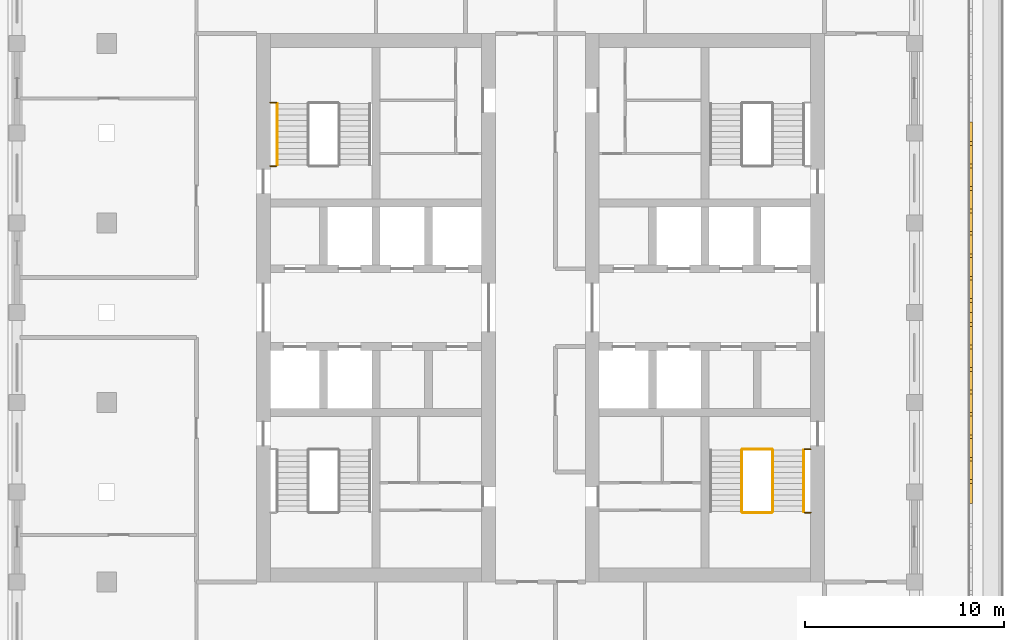
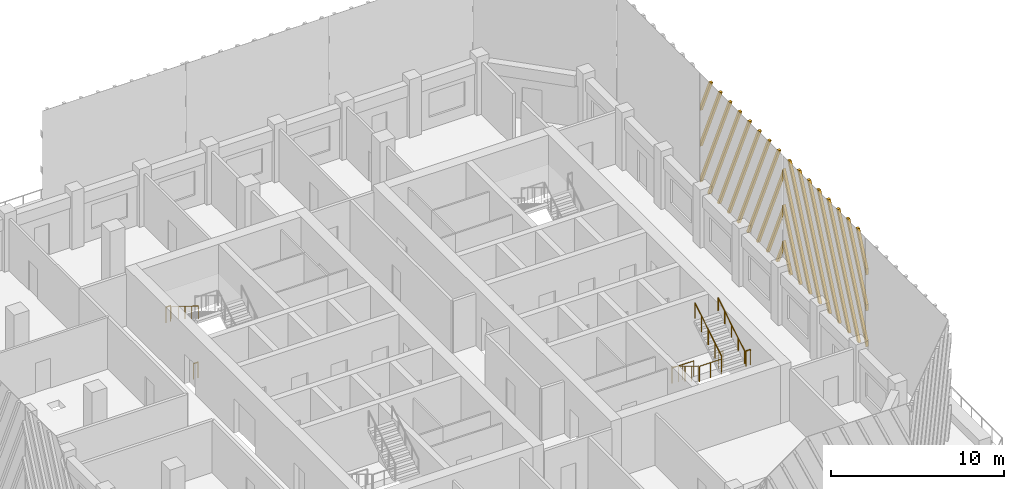
# One storey, part 11 of 14: 10 railings, 2 shading devices.
"""IFC4 building model written with IfcOpenShell, lengths in metres."""

from ifc_helpers import new_model, si_unit, direction, frame, origin, origin_2d, place, context, subcontext, project, spatial, polyline, circle, outline, extrude, source, transform, mapped, material, type_object, element, save


model = new_model("IFC4")

# Units and contexts
model_context = context("Model", 3, precision=1e-05, world=origin(), true_north=direction((0.0, 1.0)))
body_context = subcontext(model_context, "Body", "Model", "MODEL_VIEW")
ifc_project = project(units=[si_unit("LENGTHUNIT", "METRE"), si_unit("AREAUNIT", "SQUARE_METRE"), si_unit("VOLUMEUNIT", "CUBIC_METRE"), si_unit("PLANEANGLEUNIT", "RADIAN"), si_unit("MASSUNIT", "GRAM", prefix="KILO")], contexts=[model_context])

# Site, building, storey
site_placement = place(None, origin())
site = spatial("IfcSite", under=ifc_project, at=site_placement, CompositionType="ELEMENT")
building_placement = place(site_placement, origin())
building = spatial("IfcBuilding", under=site, at=building_placement, Name="Corbel Stack Research Tower", CompositionType="ELEMENT")
storey_placement = place(building_placement, frame((0.0, 0.0, 266.300048828125)))
storey = spatial("IfcBuildingStorey", under=building, at=storey_placement, Name="L60", CompositionType="ELEMENT", Elevation=266.300048828125)

# Railings
ifc_material_1 = material(Name="Steel S355", Category="steel")
railing_type_1 = type_object("IfcRailingType", Name="Stair guard 1100", PredefinedType="GUARDRAIL", material=ifc_material_1)
for number, where, name in (
    (1, (-9.5, 15.030029296875, 2.050048828125), "L60 ST-W2 stair guard 3"),
    (2, (-9.5, 11.85009765625, 0.0), "L60 ST-W2 stair guard 6"),
):
    element("IfcRailing", number, at=place(storey_placement, frame(where)), inside=storey, type_object=railing_type_1, Name=name, PredefinedType="GUARDRAIL", context=body_context, shape_type="SweptSolid", body=[
        extrude(circle(Radius=0.02392578125, at=origin_2d()), frame((0.0, 0.0, 1.076171875), z_axis=(-1.0, 0.0, 0.0), x_axis=(0.0, -1.0, 0.0)), (0.0, 0.0, 1.0), 0.300048828125),
        extrude(circle(Radius=0.02099609375, at=origin_2d()), origin(), (0.0, 0.0, 1.0), 1.052001953125),
        extrude(circle(Radius=0.02099609375, at=origin_2d()), frame((-0.300048828125, 0.0, 0.0)), (0.0, 0.0, 1.0), 1.052001953125),
    ])
railing_1_placement = place(storey_placement, frame((13.85009765625, -2.39990234375, 0.1708984375)))
element("IfcRailing", 3, at=railing_1_placement, inside=storey, type_object=railing_type_1, Name="L60 ST-E1 stair guard 1", PredefinedType="GUARDRAIL", context=body_context, shape_type="SweptSolid", body=[
    extrude(circle(Radius=0.02392578125, at=origin_2d()), frame((0.0, 0.0, 1.076171875), z_axis=(0.0, -0.853666305674, 0.52082035152), x_axis=(1.0, 0.0, 0.0)), (0.0, 0.0, 1.0), 3.608154296875),
    extrude(circle(Radius=0.02099609375, at=origin_2d()), origin(), (0.0, 0.0, 1.0), 1.052001953125),
    extrude(circle(Radius=0.02099609375, at=origin_2d()), frame((0.0, -0.77001953125, 0.4697265625)), (0.0, 0.0, 1.0), 1.052001953125),
    extrude(circle(Radius=0.02099609375, at=origin_2d()), frame((0.0, -1.5400390625, 0.939453125)), (0.0, 0.0, 1.0), 1.052001953125),
    extrude(circle(Radius=0.02099609375, at=origin_2d()), frame((0.0, -2.31005859375, 1.409423828125)), (0.0, 0.0, 1.0), 1.052001953125),
    extrude(circle(Radius=0.02099609375, at=origin_2d()), frame((0.0, -3.080078125, 1.879150390625)), (0.0, 0.0, 1.0), 1.052001953125),
])
railing_2_placement = place(storey_placement, frame((13.89990234375, -5.530029296875, 2.050048828125)))
element("IfcRailing", 4, at=railing_2_placement, inside=storey, type_object=railing_type_1, Name="L60 ST-E1 stair guard 2", PredefinedType="GUARDRAIL", context=body_context, shape_type="SweptSolid", body=[
    extrude(circle(Radius=0.02392578125, at=origin_2d()), frame((0.0, 0.0, 1.076171875), z_axis=(1.0, 0.0, 0.0), x_axis=(0.0, 1.0, 0.0)), (0.0, 0.0, 1.0), 1.4501953125),
    extrude(circle(Radius=0.02099609375, at=origin_2d()), origin(), (0.0, 0.0, 1.0), 1.052001953125),
    extrude(circle(Radius=0.02099609375, at=origin_2d()), frame((0.72509765625, 0.0, 0.0)), (0.0, 0.0, 1.0), 1.052001953125),
    extrude(circle(Radius=0.02099609375, at=origin_2d()), frame((1.4501953125, 0.0, 0.0)), (0.0, 0.0, 1.0), 1.052001953125),
])
railing_3_placement = place(storey_placement, frame((17.0, -5.530029296875, 2.050048828125)))
element("IfcRailing", 5, at=railing_3_placement, inside=storey, type_object=railing_type_1, Name="L60 ST-E1 stair guard 3", PredefinedType="GUARDRAIL", context=body_context, shape_type="SweptSolid", body=[
    extrude(circle(Radius=0.02392578125, at=origin_2d()), frame((0.0, 0.0, 1.076171875), z_axis=(1.0, 0.0, 0.0), x_axis=(0.0, 1.0, 0.0)), (0.0, 0.0, 1.0), 0.300048828125),
    extrude(circle(Radius=0.02099609375, at=origin_2d()), origin(), (0.0, 0.0, 1.0), 1.052001953125),
    extrude(circle(Radius=0.02099609375, at=origin_2d()), frame((0.300048828125, 0.0, 0.0)), (0.0, 0.0, 1.0), 1.052001953125),
])
railing_4_placement = place(storey_placement, frame((15.39990234375, -5.47998046875, 2.220703125)))
element("IfcRailing", 6, at=railing_4_placement, inside=storey, type_object=railing_type_1, Name="L60 ST-E1 stair guard 4", PredefinedType="GUARDRAIL", context=body_context, shape_type="SweptSolid", body=[
    extrude(circle(Radius=0.02392578125, at=origin_2d()), frame((0.0, 0.0, 1.076171875), z_axis=(0.0, 0.853666305674, 0.52082035152), x_axis=(-1.0, 0.0, 0.0)), (0.0, 0.0, 1.0), 3.608154296875),
    extrude(circle(Radius=0.02099609375, at=origin_2d()), origin(), (0.0, 0.0, 1.0), 1.052001953125),
    extrude(circle(Radius=0.02099609375, at=origin_2d()), frame((0.0, 0.77001953125, 0.4697265625)), (0.0, 0.0, 1.0), 1.052001953125),
    extrude(circle(Radius=0.02099609375, at=origin_2d()), frame((0.0, 1.5400390625, 0.939453125)), (0.0, 0.0, 1.0), 1.052001953125),
    extrude(circle(Radius=0.02099609375, at=origin_2d()), frame((0.0, 2.31005859375, 1.409423828125)), (0.0, 0.0, 1.0), 1.052001953125),
    extrude(circle(Radius=0.02099609375, at=origin_2d()), frame((0.0, 3.080078125, 1.879150390625)), (0.0, 0.0, 1.0), 1.052001953125),
])
railing_5_placement = place(storey_placement, frame((13.89990234375, -2.35009765625, 0.0)))
element("IfcRailing", 7, at=railing_5_placement, inside=storey, type_object=railing_type_1, Name="L60 ST-E1 stair guard 5", PredefinedType="GUARDRAIL", context=body_context, shape_type="SweptSolid", body=[
    extrude(circle(Radius=0.02392578125, at=origin_2d()), frame((0.0, 0.0, 1.076171875), z_axis=(1.0, 0.0, 0.0), x_axis=(0.0, 1.0, 0.0)), (0.0, 0.0, 1.0), 1.4501953125),
    extrude(circle(Radius=0.02099609375, at=origin_2d()), origin(), (0.0, 0.0, 1.0), 1.052001953125),
    extrude(circle(Radius=0.02099609375, at=origin_2d()), frame((0.72509765625, 0.0, 0.0)), (0.0, 0.0, 1.0), 1.052001953125),
    extrude(circle(Radius=0.02099609375, at=origin_2d()), frame((1.4501953125, 0.0, 0.0)), (0.0, 0.0, 1.0), 1.052001953125),
])
railing_6_placement = place(storey_placement, frame((17.0, -2.35009765625, 0.0)))
element("IfcRailing", 8, at=railing_6_placement, inside=storey, type_object=railing_type_1, Name="L60 ST-E1 stair guard 6", PredefinedType="GUARDRAIL", context=body_context, shape_type="SweptSolid", body=[
    extrude(circle(Radius=0.02392578125, at=origin_2d()), frame((0.0, 0.0, 1.076171875), z_axis=(1.0, 0.0, 0.0), x_axis=(0.0, 1.0, 0.0)), (0.0, 0.0, 1.0), 0.300048828125),
    extrude(circle(Radius=0.02099609375, at=origin_2d()), origin(), (0.0, 0.0, 1.0), 1.052001953125),
    extrude(circle(Radius=0.02099609375, at=origin_2d()), frame((0.300048828125, 0.0, 0.0)), (0.0, 0.0, 1.0), 1.052001953125),
])
ifc_material_2 = material(Name="Steel S355", Category="steel")
railing_type_2 = type_object("IfcRailingType", Name="Stair handrail 900", PredefinedType="HANDRAIL", material=ifc_material_2)
railing_7_placement = place(storey_placement, frame((-9.449951171875, 14.97998046875, 2.220703125)))
element("IfcRailing", 9, at=railing_7_placement, inside=storey, type_object=railing_type_2, Name="L60 ST-W2 stair handrail 2", PredefinedType="HANDRAIL", context=body_context, shape_type="SweptSolid", body=[
    extrude(circle(Radius=0.02392578125, at=origin_2d()), frame((0.0, 0.0, 0.8759765625), z_axis=(0.0, -0.853666305674, 0.52082035152), x_axis=(1.0, 0.0, 0.0)), (0.0, 0.0, 1.0), 3.608154296875),
    extrude(circle(Radius=0.02099609375, at=origin_2d()), origin(), (0.0, 0.0, 1.0), 0.851806640625),
    extrude(circle(Radius=0.02099609375, at=origin_2d()), frame((0.0, -0.77001953125, 0.4697265625)), (0.0, 0.0, 1.0), 0.851806640625),
    extrude(circle(Radius=0.02099609375, at=origin_2d()), frame((0.0, -1.5400390625, 0.939453125)), (0.0, 0.0, 1.0), 0.851806640625),
    extrude(circle(Radius=0.02099609375, at=origin_2d()), frame((0.0, -2.31005859375, 1.409423828125)), (0.0, 0.0, 1.0), 0.851806640625),
    extrude(circle(Radius=0.02099609375, at=origin_2d()), frame((0.0, -3.080078125, 1.879150390625)), (0.0, 0.0, 1.0), 0.851806640625),
])
railing_8_placement = place(storey_placement, frame((16.949951171875, -5.47998046875, 2.220703125)))
element("IfcRailing", 10, at=railing_8_placement, inside=storey, type_object=railing_type_2, Name="L60 ST-E1 stair handrail 2", PredefinedType="HANDRAIL", context=body_context, shape_type="SweptSolid", body=[
    extrude(circle(Radius=0.02392578125, at=origin_2d()), frame((0.0, 0.0, 0.8759765625), z_axis=(0.0, 0.853666305674, 0.52082035152), x_axis=(-1.0, 0.0, 0.0)), (0.0, 0.0, 1.0), 3.608154296875),
    extrude(circle(Radius=0.02099609375, at=origin_2d()), origin(), (0.0, 0.0, 1.0), 0.851806640625),
    extrude(circle(Radius=0.02099609375, at=origin_2d()), frame((0.0, 0.77001953125, 0.4697265625)), (0.0, 0.0, 1.0), 0.851806640625),
    extrude(circle(Radius=0.02099609375, at=origin_2d()), frame((0.0, 1.5400390625, 0.939453125)), (0.0, 0.0, 1.0), 0.851806640625),
    extrude(circle(Radius=0.02099609375, at=origin_2d()), frame((0.0, 2.31005859375, 1.409423828125)), (0.0, 0.0, 1.0), 0.851806640625),
    extrude(circle(Radius=0.02099609375, at=origin_2d()), frame((0.0, 3.080078125, 1.879150390625)), (0.0, 0.0, 1.0), 0.851806640625),
])

# Shading devices
ifc_material_3 = material(Name="Precast terracotta", Category="masonry")
shading_device_type = type_object("IfcShadingDeviceType", Name="Terracotta screen panel", PredefinedType="USERDEFINED", material=ifc_material_3)
shared_shape_1 = source(origin(), body_context, "Body", "SweptSolid", [
    extrude(outline(polyline([(0.862060546875, 0.0), (0.0, 1.936279296875), (0.0, 1.509521484375), (0.672119140625, 0.0), (0.862060546875, 0.0)])), frame((0.0, 0.0, 0.0), z_axis=(0.0, -1.0, 0.0), x_axis=(1.0, 0.0, 0.0)), (0.0, 0.0, 1.0), 0.179931640625),
    extrude(outline(polyline([(1.987060546875, 0.0), (0.0, 4.463134765625), (0.0, 4.036376953125), (1.797119140625, 0.0), (1.987060546875, 0.0)])), frame((0.0, 0.0, 0.0), z_axis=(0.0, -1.0, 0.0), x_axis=(1.0, 0.0, 0.0)), (0.0, 0.0, 1.0), 0.179931640625),
    extrude(outline(polyline([(3.112060546875, 0.0), (0.0, 6.989990234375), (0.0, 6.563232421875), (2.922119140625, 0.0), (3.112060546875, 0.0)])), frame((0.0, 0.0, 0.0), z_axis=(0.0, -1.0, 0.0), x_axis=(1.0, 0.0, 0.0)), (0.0, 0.0, 1.0), 0.179931640625),
    extrude(outline(polyline([(4.237060546875, 0.0), (0.697509765625, 7.949951171875), (0.507568359375, 7.949951171875), (4.047119140625, 0.0), (4.237060546875, 0.0)])), frame((0.0, 0.0, 0.0), z_axis=(0.0, -1.0, 0.0), x_axis=(1.0, 0.0, 0.0)), (0.0, 0.0, 1.0), 0.179931640625),
    extrude(outline(polyline([(5.362060546875, 0.0), (1.822509765625, 7.949951171875), (1.632568359375, 7.949951171875), (5.172119140625, 0.0), (5.362060546875, 0.0)])), frame((0.0, 0.0, 0.0), z_axis=(0.0, -1.0, 0.0), x_axis=(1.0, 0.0, 0.0)), (0.0, 0.0, 1.0), 0.179931640625),
    extrude(outline(polyline([(6.487060546875, 0.0), (2.947509765625, 7.949951171875), (2.757568359375, 7.949951171875), (6.297119140625, 0.0), (6.487060546875, 0.0)])), frame((0.0, 0.0, 0.0), z_axis=(0.0, -1.0, 0.0), x_axis=(1.0, 0.0, 0.0)), (0.0, 0.0, 1.0), 0.179931640625),
    extrude(outline(polyline([(7.612060546875, 0.0), (4.072509765625, 7.949951171875), (3.882568359375, 7.949951171875), (7.422119140625, 0.0), (7.612060546875, 0.0)])), frame((0.0, 0.0, 0.0), z_axis=(0.0, -1.0, 0.0), x_axis=(1.0, 0.0, 0.0)), (0.0, 0.0, 1.0), 0.179931640625),
    extrude(outline(polyline([(8.737060546875, 0.0), (5.197509765625, 7.949951171875), (5.007568359375, 7.949951171875), (8.547119140625, 0.0), (8.737060546875, 0.0)])), frame((0.0, 0.0, 0.0), z_axis=(0.0, -1.0, 0.0), x_axis=(1.0, 0.0, 0.0)), (0.0, 0.0, 1.0), 0.179931640625),
    extrude(outline(polyline([(6.322509765625, 7.949951171875), (6.132568359375, 7.949951171875), (9.569580078125, 0.23046875), (9.569580078125, 0.6572265625), (6.322509765625, 7.949951171875)])), frame((0.0, 0.0, 0.0), z_axis=(0.0, -1.0, 0.0), x_axis=(1.0, 0.0, 0.0)), (0.0, 0.0, 1.0), 0.179931640625),
    extrude(outline(polyline([(7.447509765625, 7.949951171875), (7.257568359375, 7.949951171875), (9.569580078125, 2.757080078125), (9.569580078125, 3.18408203125), (7.447509765625, 7.949951171875)])), frame((0.0, 0.0, 0.0), z_axis=(0.0, -1.0, 0.0), x_axis=(1.0, 0.0, 0.0)), (0.0, 0.0, 1.0), 0.179931640625),
    extrude(outline(polyline([(8.572509765625, 7.949951171875), (8.382568359375, 7.949951171875), (9.569580078125, 5.283935546875), (9.569580078125, 5.710693359375), (8.572509765625, 7.949951171875)])), frame((0.0, 0.0, 0.0), z_axis=(0.0, -1.0, 0.0), x_axis=(1.0, 0.0, 0.0)), (0.0, 0.0, 1.0), 0.179931640625),
])
shading_device_1_placement = place(storey_placement, frame((25.25, 4.5, 0.0), z_axis=(0.0, 0.0, 1.0), x_axis=(0.0, 1.0, 0.0)))
element("IfcShadingDevice", 11, at=shading_device_1_placement, inside=storey, type_object=shading_device_type, Name="Terracotta screen L60 E3", ObjectType="SCREEN", PredefinedType="USERDEFINED", context=body_context, shape_type="MappedRepresentation", body=[
    mapped(shared_shape_1, transform((0.0, 0.0, 0.0))),
])
shared_shape_2 = source(origin(), body_context, "Body", "SweptSolid", [
    extrude(outline(polyline([(1.18701171875, 7.949951171875), (0.9970703125, 7.949951171875), (0.0, 5.710693359375), (0.0, 5.283935546875), (1.18701171875, 7.949951171875)])), frame((0.0, 0.0, 0.0), z_axis=(0.0, -1.0, 0.0), x_axis=(1.0, 0.0, 0.0)), (0.0, 0.0, 1.0), 0.179931640625),
    extrude(outline(polyline([(2.31201171875, 7.949951171875), (2.1220703125, 7.949951171875), (0.0, 3.18408203125), (0.0, 2.757080078125), (2.31201171875, 7.949951171875)])), frame((0.0, 0.0, 0.0), z_axis=(0.0, -1.0, 0.0), x_axis=(1.0, 0.0, 0.0)), (0.0, 0.0, 1.0), 0.179931640625),
    extrude(outline(polyline([(3.43701171875, 7.949951171875), (3.2470703125, 7.949951171875), (0.0, 0.6572265625), (0.0, 0.23046875), (3.43701171875, 7.949951171875)])), frame((0.0, 0.0, 0.0), z_axis=(0.0, -1.0, 0.0), x_axis=(1.0, 0.0, 0.0)), (0.0, 0.0, 1.0), 0.179931640625),
    extrude(outline(polyline([(1.0224609375, 0.0), (4.56201171875, 7.949951171875), (4.3720703125, 7.949951171875), (0.83251953125, 0.0), (1.0224609375, 0.0)])), frame((0.0, 0.0, 0.0), z_axis=(0.0, -1.0, 0.0), x_axis=(1.0, 0.0, 0.0)), (0.0, 0.0, 1.0), 0.179931640625),
    extrude(outline(polyline([(2.1474609375, 0.0), (5.68701171875, 7.949951171875), (5.4970703125, 7.949951171875), (1.95751953125, 0.0), (2.1474609375, 0.0)])), frame((0.0, 0.0, 0.0), z_axis=(0.0, -1.0, 0.0), x_axis=(1.0, 0.0, 0.0)), (0.0, 0.0, 1.0), 0.179931640625),
    extrude(outline(polyline([(3.2724609375, 0.0), (6.81201171875, 7.949951171875), (6.6220703125, 7.949951171875), (3.08251953125, 0.0), (3.2724609375, 0.0)])), frame((0.0, 0.0, 0.0), z_axis=(0.0, -1.0, 0.0), x_axis=(1.0, 0.0, 0.0)), (0.0, 0.0, 1.0), 0.179931640625),
    extrude(outline(polyline([(4.3974609375, 0.0), (7.93701171875, 7.949951171875), (7.7470703125, 7.949951171875), (4.20751953125, 0.0), (4.3974609375, 0.0)])), frame((0.0, 0.0, 0.0), z_axis=(0.0, -1.0, 0.0), x_axis=(1.0, 0.0, 0.0)), (0.0, 0.0, 1.0), 0.179931640625),
    extrude(outline(polyline([(5.5224609375, 0.0), (9.06201171875, 7.949951171875), (8.8720703125, 7.949951171875), (5.33251953125, 0.0), (5.5224609375, 0.0)])), frame((0.0, 0.0, 0.0), z_axis=(0.0, -1.0, 0.0), x_axis=(1.0, 0.0, 0.0)), (0.0, 0.0, 1.0), 0.179931640625),
    extrude(outline(polyline([(6.6474609375, 0.0), (9.569580078125, 6.563232421875), (9.569580078125, 6.989990234375), (6.45751953125, 0.0), (6.6474609375, 0.0)])), frame((0.0, 0.0, 0.0), z_axis=(0.0, -1.0, 0.0), x_axis=(1.0, 0.0, 0.0)), (0.0, 0.0, 1.0), 0.179931640625),
    extrude(outline(polyline([(7.7724609375, 0.0), (9.569580078125, 4.036376953125), (9.569580078125, 4.463134765625), (7.58251953125, 0.0), (7.7724609375, 0.0)])), frame((0.0, 0.0, 0.0), z_axis=(0.0, -1.0, 0.0), x_axis=(1.0, 0.0, 0.0)), (0.0, 0.0, 1.0), 0.179931640625),
    extrude(outline(polyline([(8.8974609375, 0.0), (9.569580078125, 1.509521484375), (9.569580078125, 1.936279296875), (8.70751953125, 0.0), (8.8974609375, 0.0)])), frame((0.0, 0.0, 0.0), z_axis=(0.0, -1.0, 0.0), x_axis=(1.0, 0.0, 0.0)), (0.0, 0.0, 1.0), 0.179931640625),
])
shading_device_2_placement = place(storey_placement, frame((25.25, -5.069580078125, 0.0), z_axis=(0.0, 0.0, 1.0), x_axis=(0.0, 1.0, 0.0)))
element("IfcShadingDevice", 12, at=shading_device_2_placement, inside=storey, type_object=shading_device_type, Name="Terracotta screen L60 E2", ObjectType="SCREEN", PredefinedType="USERDEFINED", context=body_context, shape_type="MappedRepresentation", body=[
    mapped(shared_shape_2, transform((0.0, 0.0, 0.0))),
])

save(model, "model.ifc")
